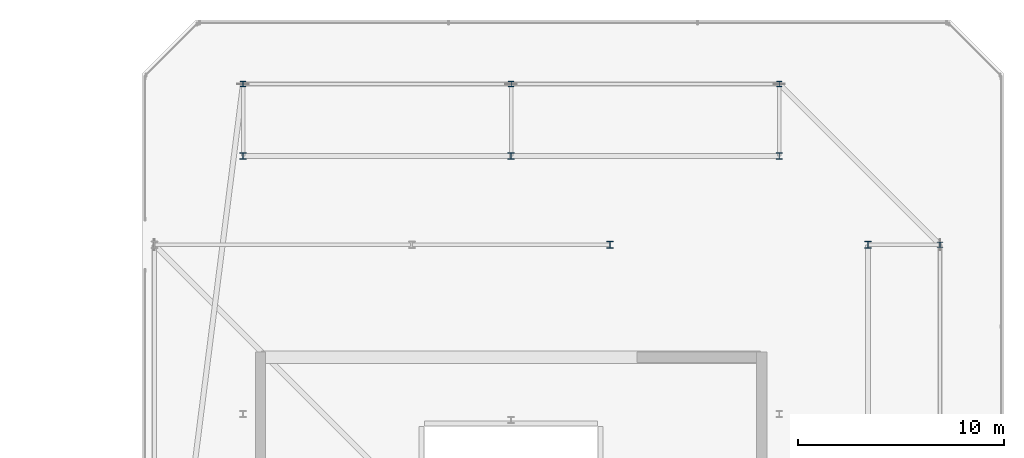
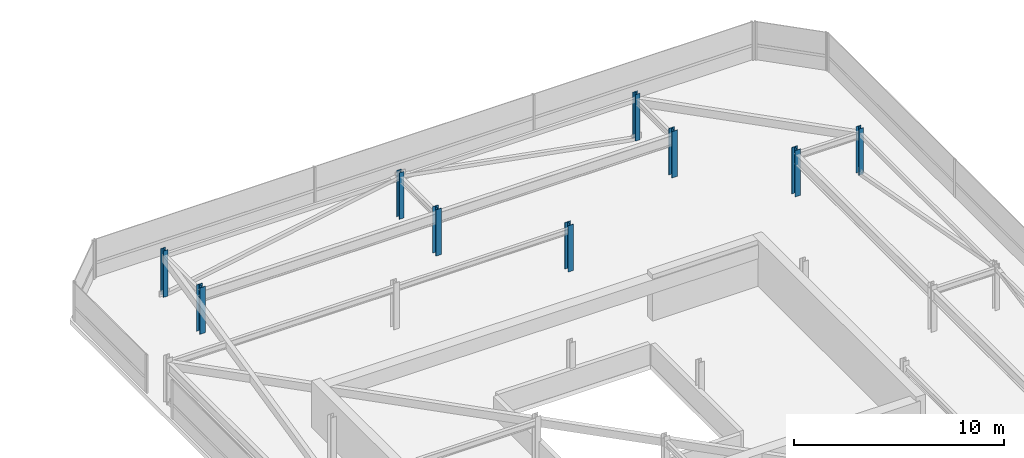
# One storey, part 8 of 44: 9 columns.
"""IFC4 building model written with IfcOpenShell, lengths in metres."""

import ifcopenshell
import ifcopenshell.guid

model = None  # the IFC model being written
_history = None  # IfcOwnerHistory: only IFC2X3 demands one
_inside = {}  # id of a spatial element -> (the spatial element, [elements in it])
_under = {}  # id of a project, library or spatial element -> (it, [spatial elements below it])
_declared = {}  # id of a project -> (the project, [libraries it declares])
_typed = {}  # id of a type object -> (the type object, [elements of that type])
_made_of = {}  # id of a material, layer set ... -> (it, [elements and type objects made of it])


def new_model(schema):
    """Start an empty IFC model of exactly this schema.

    Asked for "IFC4X3", IfcOpenShell would pick the latest addendum, in which some entities
    have other attributes; the version numbers below select the first issue.
    IFC2X3 requires an IfcOwnerHistory on every rooted entity: one is made here for all.
    """
    global model, _history
    if schema == "IFC4X3":
        model = ifcopenshell.file(schema_version=(4, 3, 0, 0))
    else:
        model = ifcopenshell.file(schema=schema)
    _inside.clear()
    _under.clear()
    _declared.clear()
    _typed.clear()
    _made_of.clear()
    _history = None
    if model.schema == "IFC2X3":
        org = make("IfcOrganization", Name="unknown")
        user = make(
            "IfcPersonAndOrganization",
            ThePerson=make("IfcPerson", FamilyName="unknown"),
            TheOrganization=org,
        )
        app = make(
            "IfcApplication",
            ApplicationDeveloper=org,
            Version="unknown",
            ApplicationFullName="unknown",
            ApplicationIdentifier="unknown",
        )
        _history = make(
            "IfcOwnerHistory",
            OwningUser=user,
            OwningApplication=app,
            ChangeAction="ADDED",
            CreationDate=0,
        )
    return model


def make(cls, **values):
    """One entity of the class cls with the attributes given. An attribute that is None is left unset."""
    return model.create_entity(
        cls, **{name: value for name, value in values.items() if value is not None}
    )


def rooted(cls, **values):
    """An entity with a GlobalId (a new one), such as an element, a storey or a relation."""
    return make(cls, GlobalId=ifcopenshell.guid.new(), OwnerHistory=_history, **values)


def si_unit(unit_type, name, prefix=None):
    """IfcSIUnit, for example si_unit("LENGTHUNIT", "METRE", prefix="MILLI")."""
    return make("IfcSIUnit", UnitType=unit_type, Prefix=prefix, Name=name)


def assignment(units):
    """IfcUnitAssignment: the units of a project."""
    return None if units is None else make("IfcUnitAssignment", Units=units)


def point(xyz):
    """IfcCartesianPoint."""
    return None if xyz is None else make("IfcCartesianPoint", Coordinates=xyz)


def direction(xyz):
    """IfcDirection."""
    return None if xyz is None else make("IfcDirection", DirectionRatios=xyz)


def frame(location, z_axis=None, x_axis=None):
    """IfcAxis2Placement3D, a coordinate frame: its origin and axes. An axis left out is left unset."""
    return make(
        "IfcAxis2Placement3D",
        Location=point(location),
        Axis=direction(z_axis),
        RefDirection=direction(x_axis),
    )


def frame_2d(location, x_axis=None):
    """IfcAxis2Placement2D, a coordinate frame in the plane: its origin and x axis."""
    return make(
        "IfcAxis2Placement2D", Location=point(location), RefDirection=direction(x_axis)
    )


def origin():
    """The frame at (0, 0, 0) with its axes left unset."""
    return frame((0.0, 0.0, 0.0))


def origin_2d():
    """The frame at (0, 0) in the plane with its x axis left unset."""
    return frame_2d((0.0, 0.0))


def place(relative_to, where):
    """IfcLocalPlacement: puts the frame where relative to a parent placement (None: the world)."""
    return make(
        "IfcLocalPlacement", PlacementRelTo=relative_to, RelativePlacement=where
    )


def context(
    kind, dimensions, precision=None, world=None, true_north=None, identifier=None
):
    """IfcGeometricRepresentationContext, for example the 3D "Model" context."""
    return make(
        "IfcGeometricRepresentationContext",
        ContextIdentifier=identifier,
        ContextType=kind,
        CoordinateSpaceDimension=dimensions,
        Precision=precision,
        WorldCoordinateSystem=world,
        TrueNorth=true_north,
    )


def subcontext(parent, identifier, kind, view, scale=None):
    """IfcGeometricRepresentationSubContext, for example "Body" below "Model"."""
    return make(
        "IfcGeometricRepresentationSubContext",
        ContextIdentifier=identifier,
        ContextType=kind,
        ParentContext=parent,
        TargetScale=scale,
        TargetView=view,
    )


def project(units=None, contexts=None):
    """IfcProject with its units and contexts."""
    return rooted(
        "IfcProject",
        Name="project",
        RepresentationContexts=contexts,
        UnitsInContext=assignment(units),
    )


def spatial(cls, under=None, at=None, **own):
    """A site, building, storey or space (cls), placed at a placement, below another one or the project."""
    s = rooted(cls, ObjectPlacement=at, **own)
    if under is not None:
        _under.setdefault(under.id(), (under, []))[1].append(s)
    return s


def profile(cls, at=None, kind="AREA", **sizes):
    """A parametric profile (cls). Its sizes go by their IFC names, for example OverallWidth=200.0."""
    return make(cls, ProfileType=kind, Position=at, **sizes)


def i_section(**sizes):
    """IfcIShapeProfileDef."""
    return profile("IfcIShapeProfileDef", **sizes)


def extrude(swept, where, along, depth):
    """IfcExtrudedAreaSolid: the profile swept, set in the frame where, extruded along a direction by depth."""
    return make(
        "IfcExtrudedAreaSolid",
        SweptArea=swept,
        Position=where,
        ExtrudedDirection=direction(along),
        Depth=depth,
    )


def shape(context_of_items, identifier, shape_type, items):
    """IfcShapeRepresentation: the items that make up one representation, for example the "Body"."""
    return make(
        "IfcShapeRepresentation",
        ContextOfItems=context_of_items,
        RepresentationIdentifier=identifier,
        RepresentationType=shape_type,
        Items=items,
    )


def material(Name=None, Category=None):
    """IfcMaterial."""
    return make("IfcMaterial", Name=Name, Category=Category)


def material_profile(
    of_material, cross_section, Name=None, Category=None, Priority=None
):
    """IfcMaterialProfile: a cross section and its material."""
    return make(
        "IfcMaterialProfile",
        Name=Name,
        Material=of_material,
        Profile=cross_section,
        Priority=Priority,
        Category=Category,
    )


def profile_set(profiles, Name=None, composite=None):
    """IfcMaterialProfileSet."""
    return make(
        "IfcMaterialProfileSet",
        Name=Name,
        MaterialProfiles=profiles,
        CompositeProfile=composite,
    )


def made_of(thing, what):
    """Note that an element or type object is made of a material, layer set ...; save() writes the relation."""
    if what is not None:
        _made_of.setdefault(what.id(), (what, []))[1].append(thing)
    return thing


def type_object(cls, material=None, **own):
    """A type object (cls), such as IfcWallType, which elements share."""
    return made_of(rooted(cls, **own), material)


def element(
    cls,
    number,
    at=None,
    inside=None,
    cuts=None,
    type_object=None,
    material=None,
    context=None,
    identifier="Body",
    shape_type=None,
    held_by="IfcProductDefinitionShape",
    body=None,
    shapes=None,
    **own,
):
    """One element of the class cls, such as IfcWall. Its Tag is "e" and its number.

    at: its placement. inside: the storey or other place that contains it. cuts: it is an
    opening in that element (IfcRelVoidsElement). A single representation is given by context,
    identifier, shape_type and body (its items); several are given by shapes. held_by: the class
    of the entity that holds the representations. save() writes the other relations.
    """
    e = rooted(cls, Tag="e%d" % number, ObjectPlacement=at, **own)
    if body is not None:
        shapes = [shape(context, identifier, shape_type, body)]
    if shapes is not None:
        e.Representation = make(held_by, Representations=shapes)
    if inside is not None:
        _inside.setdefault(inside.id(), (inside, []))[1].append(e)
    if cuts is not None:
        rooted(
            "IfcRelVoidsElement", RelatingBuildingElement=cuts, RelatedOpeningElement=e
        )
    if type_object is not None:
        _typed.setdefault(type_object.id(), (type_object, []))[1].append(e)
    return made_of(e, material)


def aggregate(whole, parts):
    """IfcRelAggregates: a whole, such as a stair, and the parts it consists of."""
    return rooted("IfcRelAggregates", RelatingObject=whole, RelatedObjects=parts)


def save(model, path):
    """Write the relations noted so far, then the file.

    IfcRelAggregates (storeys below a building ...), IfcRelContainedInSpatialStructure (elements
    in a storey), IfcRelDefinesByType, IfcRelAssociatesMaterial and IfcRelDeclares: one each for
    every whole, place, type object, material and project.
    """
    for whole, parts in _under.values():
        aggregate(whole, parts)
    for where, things in _inside.values():
        rooted(
            "IfcRelContainedInSpatialStructure",
            RelatedElements=things,
            RelatingStructure=where,
        )
    for kind, things in _typed.values():
        rooted("IfcRelDefinesByType", RelatedObjects=things, RelatingType=kind)
    for what, things in _made_of.values():
        rooted("IfcRelAssociatesMaterial", RelatedObjects=things, RelatingMaterial=what)
    for by, libraries in _declared.values():
        rooted("IfcRelDeclares", RelatingContext=by, RelatedDefinitions=libraries)
    model.write(path)


model = new_model("IFC4")

# Units and contexts
model_context = context("Model", 3, precision=1e-05, world=origin(), true_north=direction((0.0, 1.0)))
body_context = subcontext(model_context, "Body", "Model", "MODEL_VIEW")
ifc_project = project(units=[si_unit("LENGTHUNIT", "METRE"), si_unit("AREAUNIT", "SQUARE_METRE"), si_unit("VOLUMEUNIT", "CUBIC_METRE"), si_unit("PLANEANGLEUNIT", "RADIAN"), si_unit("MASSUNIT", "GRAM", prefix="KILO")], contexts=[model_context])

# Site, building, storey
site_placement = place(None, origin())
site = spatial("IfcSite", under=ifc_project, at=site_placement, CompositionType="ELEMENT")
building_placement = place(site_placement, origin())
building = spatial("IfcBuilding", under=site, at=building_placement, Name="Thornwick Lancets Civic Towers", CompositionType="ELEMENT")
storey_placement = place(building_placement, frame((0.0, 0.0, 292.199951171875)))
storey = spatial("IfcBuildingStorey", under=building, at=storey_placement, Name="C05", CompositionType="ELEMENT", Elevation=292.199951171875)

# Columns
ifc_material = material(Name="Steel S355JR", Category="steel")
ifc_material_profile_1 = material_profile(ifc_material, i_section(OverallWidth=0.30908203125, OverallDepth=0.320556640625, WebThickness=0.013916015625, FlangeThickness=0.021728515625, FilletRadius=0.01513671875, at=origin_2d()), Name="UKC 305x305x137")
ifc_profile_set_1 = profile_set([ifc_material_profile_1], Name="Steel S355JR")
column_type_1 = type_object("IfcColumnType", Name="COL_UKC_137", PredefinedType="COLUMN", material=ifc_profile_set_1)
for number, where, z_axis, x_axis, name in (
    (1, (105.800048828125, 40.0, 0.0), (0.0, 0.0, 1.0), (1.0, 0.0, 0.0), "C05 Spine Mega-Column B03"),
    (2, (101.5, 44.300048828125, 0.0), (0.0, 0.0, 1.0), (1.0, 0.0, 0.0), "C05 Spine Mega-Column B04"),
    (3, (88.5, 44.300048828125, 0.0), (0.0, 0.0, 1.0), (1.0, 0.0, 0.0), "C05 Spine Mega-Column B05"),
    (4, (75.5, 44.300048828125, 0.0), (0.0, 0.0, 1.0), (1.0, 0.0, 0.0), "C05 Spine Mega-Column B06"),
    (5, (93.300048828125, 40.0, 0.0), (0.0, 0.0, 1.0), (1.0, 0.0, 0.0), "C05 Spine Mega-Column B14"),
):
    element("IfcColumn", number, at=place(storey_placement, frame(where, z_axis=z_axis, x_axis=x_axis)), inside=storey, type_object=column_type_1, Name=name, PredefinedType="COLUMN", context=body_context, shape_type="SweptSolid", body=[
        extrude(i_section(OverallWidth=0.30908203125, OverallDepth=0.320556640625, WebThickness=0.013916015625, FlangeThickness=0.021728515625, FilletRadius=0.01513671875, at=origin_2d()), origin(), (0.0, 0.0, 1.0), 2.699951171875),
    ])
ifc_material_profile_2 = material_profile(ifc_material, i_section(OverallWidth=0.25634765625, OverallDepth=0.26025390625, WebThickness=0.01025390625, FlangeThickness=0.017333984375, FilletRadius=0.0126953125, at=origin_2d()), Name="UKC 254x254x89")
ifc_profile_set_2 = profile_set([ifc_material_profile_2], Name="Steel S355JR")
column_type_2 = type_object("IfcColumnType", Name="COL_UKC_89", PredefinedType="COLUMN", material=ifc_profile_set_2)
for number, where, z_axis, x_axis, name in (
    (6, (109.300048828125, 40.0, 0.0), (0.0, 0.0, 1.0), (1.0, 0.0, 0.0), "C05 Block Perimeter Column B03"),
    (7, (101.5, 47.800048828125, 0.0), (0.0, 0.0, 1.0), (1.0, 0.0, 0.0), "C05 Block Perimeter Column B04"),
    (8, (88.5, 47.800048828125, 0.0), (0.0, 0.0, 1.0), (1.0, 0.0, 0.0), "C05 Block Perimeter Column B05"),
    (9, (75.5, 47.800048828125, 0.0), (0.0, 0.0, 1.0), (1.0, 0.0, 0.0), "C05 Block Perimeter Column B06"),
):
    element("IfcColumn", number, at=place(storey_placement, frame(where, z_axis=z_axis, x_axis=x_axis)), inside=storey, type_object=column_type_2, Name=name, PredefinedType="COLUMN", context=body_context, shape_type="SweptSolid", body=[
        extrude(i_section(OverallWidth=0.25634765625, OverallDepth=0.26025390625, WebThickness=0.01025390625, FlangeThickness=0.017333984375, FilletRadius=0.0126953125, at=origin_2d()), origin(), (0.0, 0.0, 1.0), 2.699951171875),
    ])

save(model, "model.ifc")
